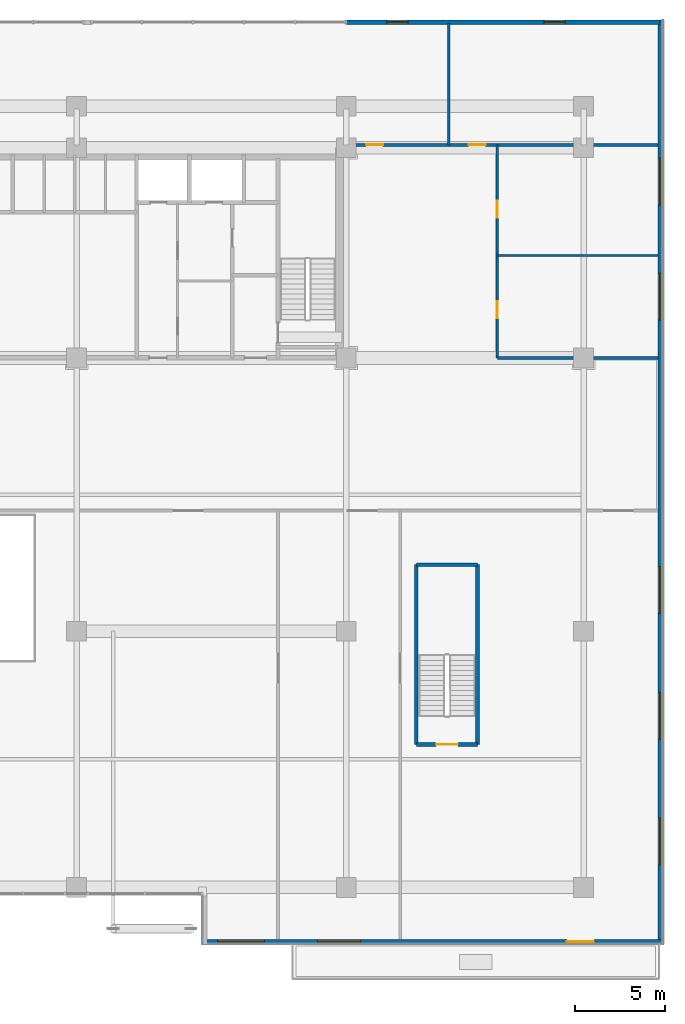
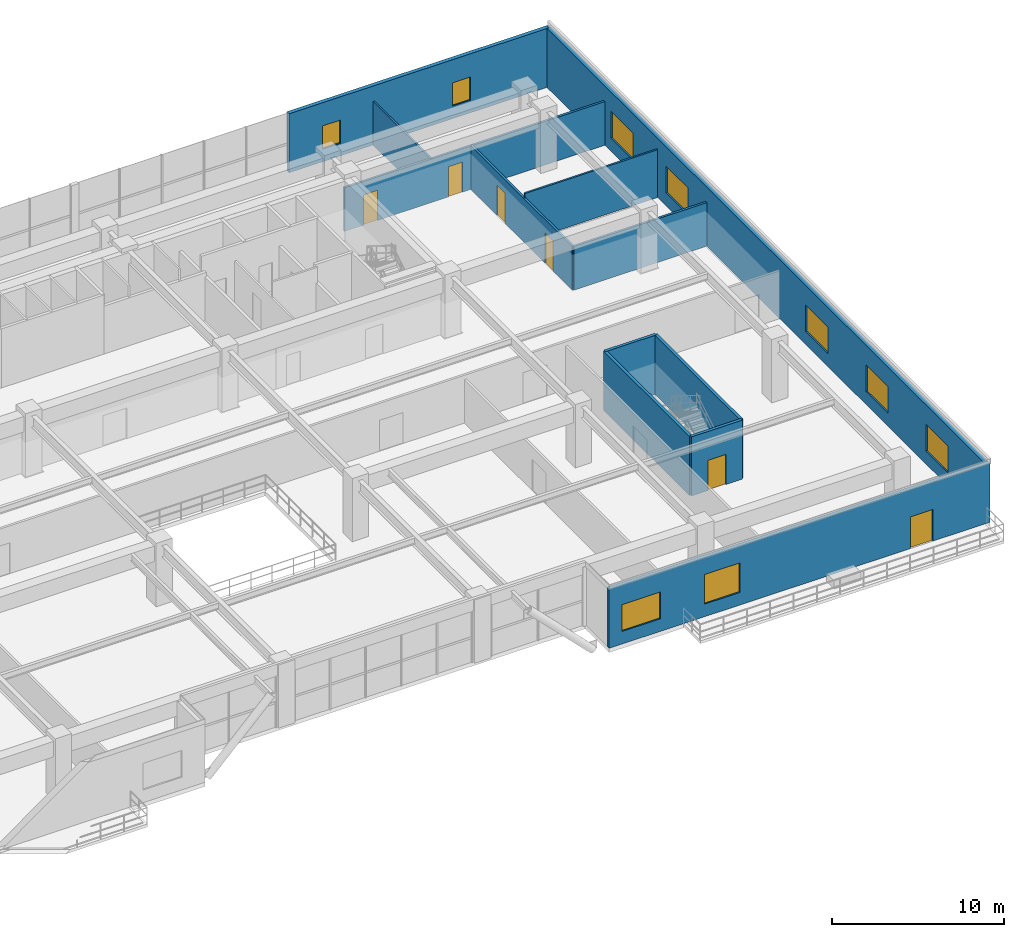
# One storey, part 17 of 24: 12 walls, 9 windows, 6 doors, 15 openings.
"""IFC4 building model written with IfcOpenShell, lengths in metres."""

from ifc_helpers import new_model, si_unit, direction, frame, frame_2d, origin, place, context, subcontext, project, spatial, rectangle, extrude, source, transform, mapped, material, layer, layer_set, type_object, element, fill, save


model = new_model("IFC4")

# Units and contexts
model_context = context("Model", 3, precision=1e-05, world=origin(), true_north=direction((0.0, 1.0)))
body_context = subcontext(model_context, "Body", "Model", "MODEL_VIEW")
ifc_project = project(units=[si_unit("LENGTHUNIT", "METRE"), si_unit("AREAUNIT", "SQUARE_METRE"), si_unit("VOLUMEUNIT", "CUBIC_METRE"), si_unit("PLANEANGLEUNIT", "RADIAN"), si_unit("MASSUNIT", "GRAM", prefix="KILO")], contexts=[model_context])

# Site, building, storey
site_placement = place(None, origin())
site = spatial("IfcSite", under=ifc_project, at=site_placement, CompositionType="ELEMENT")
building_placement = place(site_placement, origin())
building = spatial("IfcBuilding", under=site, at=building_placement, Name="Trelvane Seafront Commons", CompositionType="ELEMENT")
storey_placement = place(building_placement, frame((0.0, 0.0, 9.699951171875)))
storey = spatial("IfcBuildingStorey", under=building, at=storey_placement, Name="L02", CompositionType="ELEMENT", Elevation=9.699951171875)

# Wall, openings, windows
ifc_material_1 = material(Name="Precast concrete C40/50", Category="concrete")
ifc_layer_1 = layer(ifc_material_1, 0.260009765625, Name="ARCH-WALL-EXT260")
ifc_layer_set_1 = layer_set([ifc_layer_1], Name="Precast concrete C40/50")
wall_type_1 = type_object("IfcWallType", Name="ARCH-WALL-EXT260", PredefinedType="SOLIDWALL", material=ifc_layer_set_1)
wall_1_placement = place(storey_placement, frame((58.800048828125, 52.070068359375, 0.0), z_axis=(0.0, 0.0, 1.0), x_axis=(1.0, 0.0, 0.0)))
wall_1 = element("IfcWall", 1, at=wall_1_placement, inside=storey, type_object=wall_type_1, Name="EW-L02-NE-0016", PredefinedType="SOLIDWALL", context=body_context, shape_type="SweptSolid", body=[
    extrude(rectangle(XDim=17.449951171875, YDim=0.260009765625, at=frame_2d((8.72509765625, 0.0))), origin(), (0.0, 0.0, 1.0), 4.199951171875),
])
opening_1_placement = place(wall_1_placement, frame((2.237060546875, 0.0, 0.89990234375)))
opening_1 = element("IfcOpeningElement", 2, at=opening_1_placement, cuts=wall_1, Name="Opening W05", PredefinedType="OPENING", context=body_context, shape_type="SweptSolid", body=[
    extrude(rectangle(XDim=1.199951171875, YDim=1.64990234375, at=frame_2d((0.60009765625, 0.824951171875))), frame((0.0, 0.139892578125, 0.0), z_axis=(0.0, -1.0, 0.0), x_axis=(1.0, 0.0, 0.0)), (0.0, 0.0, 1.0), 0.280029296875),
])
opening_2_placement = place(wall_1_placement, frame((10.985107421875, 0.0, 0.89990234375)))
opening_2 = element("IfcOpeningElement", 3, at=opening_2_placement, cuts=wall_1, Name="Opening W05", PredefinedType="OPENING", context=body_context, shape_type="SweptSolid", body=[
    extrude(rectangle(XDim=1.199951171875, YDim=1.64990234375, at=frame_2d((0.60009765625, 0.824951171875))), frame((0.0, 0.139892578125, 0.0), z_axis=(0.0, -1.0, 0.0), x_axis=(1.0, 0.0, 0.0)), (0.0, 0.0, 1.0), 0.280029296875),
])
ifc_material_2 = material(Name="Low-E coastal double glazing", Category="glass")
window_type_1 = type_object("IfcWindowType", Name="ARCH-WIN-W05", PartitioningType="SINGLE_PANEL", PredefinedType="WINDOW", material=ifc_material_2)
shared_shape_1 = source(origin(), body_context, "Body", "SweptSolid", [
    extrude(rectangle(XDim=1.199951171875, YDim=1.64990234375, at=frame_2d((0.60009765625, 0.824951171875))), frame((0.0, 0.030029296875, 0.0), z_axis=(0.0, -1.0, 0.0), x_axis=(1.0, 0.0, 0.0)), (0.0, 0.0, 1.0), 0.06005859375),
])
window_1_placement = place(opening_1_placement, origin())
window_1 = element("IfcWindow", 4, at=window_1_placement, inside=storey, type_object=window_type_1, Name="WIN-L02-00023", OverallHeight=1.64990234375, OverallWidth=1.199951171875, PartitioningType="SINGLE_PANEL", PredefinedType="WINDOW", context=body_context, shape_type="MappedRepresentation", body=[
    mapped(shared_shape_1, transform((0.0, 0.0, 0.0), x_axis=(1.0, 0.0, 0.0), y_axis=(0.0, 1.0, 0.0), z_axis=(0.0, 0.0, 1.0), scale=1.0)),
])
fill(opening_1, window_1)
window_2_placement = place(opening_2_placement, origin())
window_2 = element("IfcWindow", 5, at=window_2_placement, inside=storey, type_object=window_type_1, Name="WIN-L02-00024", OverallHeight=1.64990234375, OverallWidth=1.199951171875, PartitioningType="SINGLE_PANEL", PredefinedType="WINDOW", context=body_context, shape_type="MappedRepresentation", body=[
    mapped(shared_shape_1, transform((0.0, 0.0, 0.0), x_axis=(1.0, 0.0, 0.0), y_axis=(0.0, 1.0, 0.0), z_axis=(0.0, 0.0, 1.0), scale=1.0)),
])
fill(opening_2, window_2)

wall_2_placement = place(storey_placement, frame((76.27001953125, 52.199951171875, 0.0), z_axis=(0.0, 0.0, 1.0), x_axis=(0.0, -1.0, 0.0)))
wall_2 = element("IfcWall", 6, at=wall_2_placement, inside=storey, type_object=wall_type_1, Name="EW-L02-00019", PredefinedType="SOLIDWALL", context=body_context, shape_type="SweptSolid", body=[
    extrude(rectangle(XDim=51.39990234375, YDim=0.260009765625, at=frame_2d((25.699951171875, 0.0))), origin(), (0.0, 0.0, 1.0), 4.199951171875),
])
opening_3_placement = place(wall_2_placement, frame((44.39990234375, 0.0, 0.919921875)))
opening_3 = element("IfcOpeningElement", 7, at=opening_3_placement, cuts=wall_2, Name="Opening W04", PredefinedType="OPENING", context=body_context, shape_type="SweptSolid", body=[
    extrude(rectangle(XDim=2.60009765625, YDim=1.89990234375, at=frame_2d((1.300048828125, 0.949951171875))), frame((0.0, 0.139892578125, 0.0), z_axis=(0.0, -1.0, 0.0), x_axis=(1.0, 0.0, 0.0)), (0.0, 0.0, 1.0), 0.280029296875),
])
opening_4_placement = place(wall_2_placement, frame((37.39990234375, 0.0, 0.919921875)))
opening_4 = element("IfcOpeningElement", 8, at=opening_4_placement, cuts=wall_2, Name="Opening W04", PredefinedType="OPENING", context=body_context, shape_type="SweptSolid", body=[
    extrude(rectangle(XDim=2.60009765625, YDim=1.89990234375, at=frame_2d((1.300048828125, 0.949951171875))), frame((0.0, 0.139892578125, 0.0), z_axis=(0.0, -1.0, 0.0), x_axis=(1.0, 0.0, 0.0)), (0.0, 0.0, 1.0), 0.280029296875),
])
opening_5_placement = place(wall_2_placement, frame((30.39990234375, 0.0, 0.919921875)))
opening_5 = element("IfcOpeningElement", 9, at=opening_5_placement, cuts=wall_2, Name="Opening W04", PredefinedType="OPENING", context=body_context, shape_type="SweptSolid", body=[
    extrude(rectangle(XDim=2.60009765625, YDim=1.89990234375, at=frame_2d((1.300048828125, 0.949951171875))), frame((0.0, 0.139892578125, 0.0), z_axis=(0.0, -1.0, 0.0), x_axis=(1.0, 0.0, 0.0)), (0.0, 0.0, 1.0), 0.280029296875),
])
opening_6_placement = place(wall_2_placement, frame((14.10009765625, 0.0, 0.919921875)))
opening_6 = element("IfcOpeningElement", 10, at=opening_6_placement, cuts=wall_2, Name="Opening W04", PredefinedType="OPENING", context=body_context, shape_type="SweptSolid", body=[
    extrude(rectangle(XDim=2.60009765625, YDim=1.89990234375, at=frame_2d((1.300048828125, 0.949951171875))), frame((0.0, 0.139892578125, 0.0), z_axis=(0.0, -1.0, 0.0), x_axis=(1.0, 0.0, 0.0)), (0.0, 0.0, 1.0), 0.280029296875),
])
opening_7_placement = place(wall_2_placement, frame((7.699951171875, 0.0, 0.919921875)))
opening_7 = element("IfcOpeningElement", 11, at=opening_7_placement, cuts=wall_2, Name="Opening W04", PredefinedType="OPENING", context=body_context, shape_type="SweptSolid", body=[
    extrude(rectangle(XDim=2.60009765625, YDim=1.89990234375, at=frame_2d((1.300048828125, 0.949951171875))), frame((0.0, 0.139892578125, 0.0), z_axis=(0.0, -1.0, 0.0), x_axis=(1.0, 0.0, 0.0)), (0.0, 0.0, 1.0), 0.280029296875),
])
window_type_2 = type_object("IfcWindowType", Name="ARCH-WIN-W04", PartitioningType="SINGLE_PANEL", PredefinedType="WINDOW", material=ifc_material_2)
shared_shape_2 = source(origin(), body_context, "Body", "SweptSolid", [
    extrude(rectangle(XDim=2.60009765625, YDim=1.89990234375, at=frame_2d((1.300048828125, 0.949951171875))), frame((0.0, 0.030029296875, 0.0), z_axis=(0.0, -1.0, 0.0), x_axis=(1.0, 0.0, 0.0)), (0.0, 0.0, 1.0), 0.06005859375),
])
window_3_placement = place(opening_3_placement, origin())
window_3 = element("IfcWindow", 12, at=window_3_placement, inside=storey, type_object=window_type_2, Name="WIN-L02-EW-00025", OverallHeight=1.89990234375, OverallWidth=2.60009765625, PartitioningType="SINGLE_PANEL", PredefinedType="WINDOW", context=body_context, shape_type="MappedRepresentation", body=[
    mapped(shared_shape_2, transform((0.0, 0.0, 0.0), x_axis=(1.0, 0.0, 0.0), y_axis=(0.0, 1.0, 0.0), z_axis=(0.0, 0.0, 1.0), scale=1.0)),
])
fill(opening_3, window_3)
window_4_placement = place(opening_4_placement, origin())
window_4 = element("IfcWindow", 13, at=window_4_placement, inside=storey, type_object=window_type_2, Name="WIN-L02-EW-00026", OverallHeight=1.89990234375, OverallWidth=2.60009765625, PartitioningType="SINGLE_PANEL", PredefinedType="WINDOW", context=body_context, shape_type="MappedRepresentation", body=[
    mapped(shared_shape_2, transform((0.0, 0.0, 0.0), x_axis=(1.0, 0.0, 0.0), y_axis=(0.0, 1.0, 0.0), z_axis=(0.0, 0.0, 1.0), scale=1.0)),
])
fill(opening_4, window_4)
window_5_placement = place(opening_5_placement, origin())
window_5 = element("IfcWindow", 14, at=window_5_placement, inside=storey, type_object=window_type_2, Name="WIN-L02-EW-00027", OverallHeight=1.89990234375, OverallWidth=2.60009765625, PartitioningType="SINGLE_PANEL", PredefinedType="WINDOW", context=body_context, shape_type="MappedRepresentation", body=[
    mapped(shared_shape_2, transform((0.0, 0.0, 0.0), x_axis=(1.0, 0.0, 0.0), y_axis=(0.0, 1.0, 0.0), z_axis=(0.0, 0.0, 1.0), scale=1.0)),
])
fill(opening_5, window_5)
window_6_placement = place(opening_6_placement, origin())
window_6 = element("IfcWindow", 15, at=window_6_placement, inside=storey, type_object=window_type_2, Name="WIN-L02-EW-00028", OverallHeight=1.89990234375, OverallWidth=2.60009765625, PartitioningType="SINGLE_PANEL", PredefinedType="WINDOW", context=body_context, shape_type="MappedRepresentation", body=[
    mapped(shared_shape_2, transform((0.0, 0.0, 0.0), x_axis=(1.0, 0.0, 0.0), y_axis=(0.0, 1.0, 0.0), z_axis=(0.0, 0.0, 1.0), scale=1.0)),
])
fill(opening_6, window_6)
window_7_placement = place(opening_7_placement, origin())
window_7 = element("IfcWindow", 16, at=window_7_placement, inside=storey, type_object=window_type_2, Name="WIN-L02-EW-00029", OverallHeight=1.89990234375, OverallWidth=2.60009765625, PartitioningType="SINGLE_PANEL", PredefinedType="WINDOW", context=body_context, shape_type="MappedRepresentation", body=[
    mapped(shared_shape_2, transform((0.0, 0.0, 0.0), x_axis=(1.0, 0.0, 0.0), y_axis=(0.0, 1.0, 0.0), z_axis=(0.0, 0.0, 1.0), scale=1.0)),
])
fill(opening_7, window_7)

# Wall, openings, windows, door
wall_3_placement = place(storey_placement, frame((76.39990234375, 0.929931640625, 0.0), z_axis=(0.0, 0.0, 1.0), x_axis=(-1.0, 0.0, 0.0)))
wall_3 = element("IfcWall", 17, at=wall_3_placement, inside=storey, type_object=wall_type_1, Name="EW-L02-00020", PredefinedType="SOLIDWALL", context=body_context, shape_type="SweptSolid", body=[
    extrude(rectangle(XDim=25.599853515625, YDim=0.260009765625, at=frame_2d((12.7998046875, 0.0))), origin(), (0.0, 0.0, 1.0), 4.199951171875),
])
opening_8_placement = place(wall_3_placement, frame((3.8330078125, 0.0, 0.0)))
opening_8 = element("IfcOpeningElement", 18, at=opening_8_placement, cuts=wall_3, Name="Opening BD-L02-09", PredefinedType="OPENING", context=body_context, shape_type="SweptSolid", body=[
    extrude(rectangle(XDim=1.5, YDim=2.25, at=frame_2d((0.75, 1.125))), frame((0.0, 0.139892578125, 0.0), z_axis=(0.0, -1.0, 0.0), x_axis=(1.0, 0.0, 0.0)), (0.0, 0.0, 1.0), 0.280029296875),
])
opening_9_placement = place(wall_3_placement, frame((16.800048828125, 0.0, 0.89990234375)))
opening_9 = element("IfcOpeningElement", 19, at=opening_9_placement, cuts=wall_3, Name="Opening W08", PredefinedType="OPENING", context=body_context, shape_type="SweptSolid", body=[
    extrude(rectangle(XDim=2.39990234375, YDim=2.10009765625, at=frame_2d((1.199951171875, 1.050048828125))), frame((0.0, 0.139892578125, 0.0), z_axis=(0.0, -1.0, 0.0), x_axis=(1.0, 0.0, 0.0)), (0.0, 0.0, 1.0), 0.280029296875),
])
opening_10_placement = place(wall_3_placement, frame((22.155029296875, 0.0, 0.89990234375)))
opening_10 = element("IfcOpeningElement", 20, at=opening_10_placement, cuts=wall_3, Name="Opening W04", PredefinedType="OPENING", context=body_context, shape_type="SweptSolid", body=[
    extrude(rectangle(XDim=2.60009765625, YDim=1.89990234375, at=frame_2d((1.300048828125, 0.949951171875))), frame((0.0, 0.139892578125, 0.0), z_axis=(0.0, -1.0, 0.0), x_axis=(1.0, 0.0, 0.0)), (0.0, 0.0, 1.0), 0.280029296875),
])
window_type_3 = type_object("IfcWindowType", Name="ARCH-WIN-W08", PartitioningType="SINGLE_PANEL", PredefinedType="WINDOW", material=ifc_material_2)
shared_shape_3 = source(origin(), body_context, "Body", "SweptSolid", [
    extrude(rectangle(XDim=2.39990234375, YDim=2.10009765625, at=frame_2d((1.199951171875, 1.050048828125))), frame((0.0, 0.030029296875, 0.0), z_axis=(0.0, -1.0, 0.0), x_axis=(1.0, 0.0, 0.0)), (0.0, 0.0, 1.0), 0.06005859375),
])
window_8_placement = place(opening_9_placement, origin())
window_8 = element("IfcWindow", 21, at=window_8_placement, inside=storey, type_object=window_type_3, Name="WIN-L02-00030", OverallHeight=2.10009765625, OverallWidth=2.39990234375, PartitioningType="SINGLE_PANEL", PredefinedType="WINDOW", context=body_context, shape_type="MappedRepresentation", body=[
    mapped(shared_shape_3, transform((0.0, 0.0, 0.0), x_axis=(1.0, 0.0, 0.0), y_axis=(0.0, 1.0, 0.0), z_axis=(0.0, 0.0, 1.0), scale=1.0)),
])
fill(opening_9, window_8)
window_9_placement = place(opening_10_placement, origin())
window_9 = element("IfcWindow", 22, at=window_9_placement, inside=storey, type_object=window_type_2, Name="WIN-L02-00031", OverallHeight=1.89990234375, OverallWidth=2.60009765625, PartitioningType="SINGLE_PANEL", PredefinedType="WINDOW", context=body_context, shape_type="MappedRepresentation", body=[
    mapped(shared_shape_2, transform((0.0, 0.0, 0.0), x_axis=(1.0, 0.0, 0.0), y_axis=(0.0, 1.0, 0.0), z_axis=(0.0, 0.0, 1.0), scale=1.0)),
])
fill(opening_10, window_9)
ifc_material_3 = material(Name="Powder-coated aluminium frame", Category="aluminium")
door_type_1 = type_object("IfcDoorType", Name="ARCH-DR-TER1500", OperationType="DOUBLE_DOOR_SINGLE_SWING", PredefinedType="DOOR", material=ifc_material_3)
shared_shape_4 = source(origin(), body_context, "Body", "SweptSolid", [
    extrude(rectangle(XDim=1.5, YDim=2.25, at=frame_2d((0.75, 1.125))), frame((0.0, 0.02490234375, 0.0), z_axis=(0.0, -1.0, 0.0), x_axis=(1.0, 0.0, 0.0)), (0.0, 0.0, 1.0), 0.050048828125),
])
door_1_placement = place(opening_8_placement, origin())
door_1 = element("IfcDoor", 23, at=door_1_placement, inside=storey, type_object=door_type_1, Name="L02 Balcony Terrace Access Door", OperationType="DOUBLE_DOOR_SINGLE_SWING", OverallHeight=2.25, OverallWidth=1.5, PredefinedType="DOOR", context=body_context, shape_type="MappedRepresentation", body=[
    mapped(shared_shape_4, transform((0.0, 0.0, 0.0), x_axis=(1.0, 0.0, 0.0), y_axis=(0.0, 1.0, 0.0), z_axis=(0.0, 0.0, 1.0), scale=1.0)),
])
fill(opening_8, door_1)

# Walls
ifc_material_4 = material(Name="Gypsum Drywall Acoustic Partition")
ifc_layer_2 = layer(ifc_material_4, 0.1201171875, Name="ARCH-WALL-PART120")
ifc_layer_set_2 = layer_set([ifc_layer_2], Name="Gypsum Drywall Acoustic Partition")
wall_type_2 = type_object("IfcWallType", Name="ARCH-WALL-PART120", PredefinedType="PARTITIONING", material=ifc_layer_set_2)
wall_4_placement = place(storey_placement, frame((67.199951171875, 39.10009765625, 0.0), z_axis=(0.0, 0.0, 1.0), x_axis=(1.0, 0.0, 0.0)))
element("IfcWall", 24, at=wall_4_placement, inside=storey, type_object=wall_type_2, Name="W-L02-POD-NE-MF-049", PredefinedType="PARTITIONING", context=body_context, shape_type="SweptSolid", body=[
    extrude(rectangle(XDim=8.949951171875, YDim=0.1201171875, at=frame_2d((4.47509765625, 0.0))), origin(), (0.0, 0.0, 1.0), 3.400146484375),
])
wall_5_placement = place(storey_placement, frame((64.5, 45.25, 0.0), z_axis=(0.0, 0.0, 1.0), x_axis=(0.0, 1.0, 0.0)))
element("IfcWall", 25, at=wall_5_placement, inside=storey, type_object=wall_type_2, Name="W-L02-POD-NE-LNDV-051", PredefinedType="PARTITIONING", context=body_context, shape_type="SweptSolid", body=[
    extrude(rectangle(XDim=6.75, YDim=0.1201171875, at=frame_2d((3.375, 0.0))), origin(), (0.0, 0.0, 1.0), 3.10009765625),
])

# Wall, openings, doors
ifc_layer_3 = layer(ifc_material_4, 0.14990234375, Name="ARCH-WALL-PART150")
ifc_layer_set_3 = layer_set([ifc_layer_3], Name="Gypsum Drywall Acoustic Partition")
wall_type_3 = type_object("IfcWallType", Name="ARCH-WALL-PART150", PredefinedType="PARTITIONING", material=ifc_layer_set_3)
wall_6_placement = place(storey_placement, frame((67.199951171875, 33.39990234375, 0.0), z_axis=(0.0, 0.0, 1.0), x_axis=(0.0, 1.0, 0.0)))
wall_6 = element("IfcWall", 26, at=wall_6_placement, inside=storey, type_object=wall_type_3, Name="W-L02-POD-NE-W-047", PredefinedType="PARTITIONING", context=body_context, shape_type="SweptSolid", body=[
    extrude(rectangle(XDim=11.85009765625, YDim=0.14990234375, at=frame_2d((5.925048828125, 0.0))), origin(), (0.0, 0.0, 1.0), 3.10009765625),
])
opening_11_placement = place(wall_6_placement, frame((2.199951171875, 0.0, 0.0)))
opening_11 = element("IfcOpeningElement", 27, at=opening_11_placement, cuts=wall_6, Name="Opening D-L02-21", PredefinedType="OPENING", context=body_context, shape_type="SweptSolid", body=[
    extrude(rectangle(XDim=0.949951171875, YDim=2.14990234375, at=frame_2d((0.47509765625, 1.074951171875))), frame((0.0, 0.0849609375, 0.0), z_axis=(0.0, -1.0, 0.0), x_axis=(1.0, 0.0, 0.0)), (0.0, 0.0, 1.0), 0.169921875),
])
opening_12_placement = place(wall_6_placement, frame((7.800048828125, 0.0, 0.0)))
opening_12 = element("IfcOpeningElement", 28, at=opening_12_placement, cuts=wall_6, Name="Opening D-L02-22", PredefinedType="OPENING", context=body_context, shape_type="SweptSolid", body=[
    extrude(rectangle(XDim=0.949951171875, YDim=2.14990234375, at=frame_2d((0.47509765625, 1.074951171875))), frame((0.0, 0.0849609375, 0.0), z_axis=(0.0, -1.0, 0.0), x_axis=(1.0, 0.0, 0.0)), (0.0, 0.0, 1.0), 0.169921875),
])
ifc_material_5 = material(Name="Acoustic timber door leaf", Category="wood")
door_type_2 = type_object("IfcDoorType", Name="ARCH-DR-INT950", OperationType="NOTDEFINED", PredefinedType="DOOR", material=ifc_material_5)
shared_shape_5 = source(origin(), body_context, "Body", "SweptSolid", [
    extrude(rectangle(XDim=0.949951171875, YDim=2.14990234375, at=frame_2d((0.47509765625, 1.074951171875))), frame((0.0, 0.02490234375, 0.0), z_axis=(0.0, -1.0, 0.0), x_axis=(1.0, 0.0, 0.0)), (0.0, 0.0, 1.0), 0.050048828125),
])
door_2_placement = place(opening_11_placement, origin())
door_2 = element("IfcDoor", 29, at=door_2_placement, inside=storey, type_object=door_type_2, Name="L02 Podium Male WC Door", OperationType="SINGLE_SWING_LEFT", OverallHeight=2.14990234375, OverallWidth=0.949951171875, PredefinedType="DOOR", context=body_context, shape_type="MappedRepresentation", body=[
    mapped(shared_shape_5, transform((0.0, 0.0, 0.0), x_axis=(1.0, 0.0, 0.0), y_axis=(0.0, 1.0, 0.0), z_axis=(0.0, 0.0, 1.0), scale=1.0)),
])
fill(opening_11, door_2)
door_3_placement = place(opening_12_placement, origin())
door_3 = element("IfcDoor", 30, at=door_3_placement, inside=storey, type_object=door_type_2, Name="L02 Podium Female WC Door", OperationType="SINGLE_SWING_RIGHT", OverallHeight=2.14990234375, OverallWidth=0.949951171875, PredefinedType="DOOR", context=body_context, shape_type="MappedRepresentation", body=[
    mapped(shared_shape_5, transform((0.0, 0.0, 0.0), x_axis=(1.0, 0.0, 0.0), y_axis=(0.0, 1.0, 0.0), z_axis=(0.0, 0.0, 1.0), scale=1.0)),
])
fill(opening_12, door_3)

# Wall
wall_7_placement = place(storey_placement, frame((67.199951171875, 33.39990234375, 0.0), z_axis=(0.0, 0.0, 1.0), x_axis=(1.0, 0.0, 0.0)))
element("IfcWall", 31, at=wall_7_placement, inside=storey, type_object=wall_type_3, Name="W-L02-POD-NE-S-048", PredefinedType="PARTITIONING", context=body_context, shape_type="SweptSolid", body=[
    extrude(rectangle(XDim=8.949951171875, YDim=0.14990234375, at=frame_2d((4.47509765625, 0.0))), origin(), (0.0, 0.0, 1.0), 3.10009765625),
])

# Wall, openings, doors
wall_8_placement = place(storey_placement, frame((58.60009765625, 45.25, 0.0), z_axis=(0.0, 0.0, 1.0), x_axis=(1.0, 0.0, 0.0)))
wall_8 = element("IfcWall", 32, at=wall_8_placement, inside=storey, type_object=wall_type_3, Name="W-L02-POD-NE-LN-S-050", PredefinedType="PARTITIONING", context=body_context, shape_type="SweptSolid", body=[
    extrude(rectangle(XDim=17.5498046875, YDim=0.14990234375, at=frame_2d((8.77490234375, 0.0))), origin(), (0.0, 0.0, 1.0), 3.10009765625),
])
opening_13_placement = place(wall_8_placement, frame((1.300048828125, 0.0, 0.0)))
opening_13 = element("IfcOpeningElement", 33, at=opening_13_placement, cuts=wall_8, Name="Opening D-L02-23", PredefinedType="OPENING", context=body_context, shape_type="SweptSolid", body=[
    extrude(rectangle(XDim=0.949951171875, YDim=2.14990234375, at=frame_2d((0.47509765625, 1.074951171875))), frame((0.0, 0.0849609375, 0.0), z_axis=(0.0, -1.0, 0.0), x_axis=(1.0, 0.0, 0.0)), (0.0, 0.0, 1.0), 0.169921875),
])
opening_14_placement = place(wall_8_placement, frame((7.0, 0.0, 0.0)))
opening_14 = element("IfcOpeningElement", 34, at=opening_14_placement, cuts=wall_8, Name="Opening D-L02-24", PredefinedType="OPENING", context=body_context, shape_type="SweptSolid", body=[
    extrude(rectangle(XDim=0.949951171875, YDim=2.14990234375, at=frame_2d((0.47509765625, 1.074951171875))), frame((0.0, 0.0849609375, 0.0), z_axis=(0.0, -1.0, 0.0), x_axis=(1.0, 0.0, 0.0)), (0.0, 0.0, 1.0), 0.169921875),
])
door_4_placement = place(opening_13_placement, origin())
door_4 = element("IfcDoor", 35, at=door_4_placement, inside=storey, type_object=door_type_2, Name="L02 Podium Laundry Door", OperationType="SINGLE_SWING_LEFT", OverallHeight=2.14990234375, OverallWidth=0.949951171875, PredefinedType="DOOR", context=body_context, shape_type="MappedRepresentation", body=[
    mapped(shared_shape_5, transform((0.0, 0.0, 0.0), x_axis=(1.0, 0.0, 0.0), y_axis=(0.0, 1.0, 0.0), z_axis=(0.0, 0.0, 1.0), scale=1.0)),
])
fill(opening_13, door_4)
door_5_placement = place(opening_14_placement, origin())
door_5 = element("IfcDoor", 36, at=door_5_placement, inside=storey, type_object=door_type_2, Name="L02 Podium Pantry Door", OperationType="SINGLE_SWING_RIGHT", OverallHeight=2.14990234375, OverallWidth=0.949951171875, PredefinedType="DOOR", context=body_context, shape_type="MappedRepresentation", body=[
    mapped(shared_shape_5, transform((0.0, 0.0, 0.0), x_axis=(1.0, 0.0, 0.0), y_axis=(0.0, 1.0, 0.0), z_axis=(0.0, 0.0, 1.0), scale=1.0)),
])
fill(opening_14, door_5)

# Walls
ifc_material_6 = material(Name="Concrete C50/60", Category="concrete")
ifc_layer_4 = layer(ifc_material_6, 0.199951171875, Name="STR-WALL-STAIR200")
ifc_layer_set_4 = layer_set([ifc_layer_4], Name="Concrete C50/60")
wall_type_4 = type_object("IfcWallType", Name="STR-WALL-STAIR200", PredefinedType="SHEAR", material=ifc_layer_set_4)
for number, where, z_axis, x_axis, name in (
    (37, (62.699951171875, 11.89990234375, 0.0), (0.0, 0.0, 1.0), (0.0, 1.0, 0.0), "W-L02-ST4-W-012"),
    (38, (66.10009765625, 11.89990234375, 0.0), (0.0, 0.0, 1.0), (0.0, 1.0, 0.0), "W-L02-ST4-E-013"),
):
    element("IfcWall", number, at=place(storey_placement, frame(where, z_axis=z_axis, x_axis=x_axis)), inside=storey, type_object=wall_type_4, Name=name, PredefinedType="SHEAR", context=body_context, shape_type="SweptSolid", body=[
        extrude(rectangle(XDim=10.0, YDim=0.199951171875, at=frame_2d((5.0, 0.0))), origin(), (0.0, 0.0, 1.0), 4.199951171875),
    ])

# Wall, opening, door
wall_9_placement = place(storey_placement, frame((62.699951171875, 11.89990234375, 0.0), z_axis=(0.0, 0.0, 1.0), x_axis=(1.0, 0.0, 0.0)))
wall_9 = element("IfcWall", 39, at=wall_9_placement, inside=storey, type_object=wall_type_4, Name="W-L02-ST4-S-014", PredefinedType="SHEAR", context=body_context, shape_type="SweptSolid", body=[
    extrude(rectangle(XDim=3.400146484375, YDim=0.199951171875, at=frame_2d((1.7001953125, 0.0))), origin(), (0.0, 0.0, 1.0), 4.199951171875),
])
opening_15_placement = place(wall_9_placement, frame((1.10009765625, 0.0, 0.0)))
opening_15 = element("IfcOpeningElement", 40, at=opening_15_placement, cuts=wall_9, Name="Opening ST-D-ST4-L02", PredefinedType="OPENING", context=body_context, shape_type="SweptSolid", body=[
    extrude(rectangle(XDim=1.199951171875, YDim=2.14990234375, at=frame_2d((0.60009765625, 1.074951171875))), frame((0.0, 0.10986328125, 0.0), z_axis=(0.0, -1.0, 0.0), x_axis=(1.0, 0.0, 0.0)), (0.0, 0.0, 1.0), 0.219970703125),
])
door_type_3 = type_object("IfcDoorType", Name="ARCH-DR-FD90-1200", OperationType="NOTDEFINED", PredefinedType="DOOR", material=ifc_material_3)
shared_shape_6 = source(origin(), body_context, "Body", "SweptSolid", [
    extrude(rectangle(XDim=1.199951171875, YDim=2.14990234375, at=frame_2d((0.60009765625, 1.074951171875))), frame((0.0, 0.02490234375, 0.0), z_axis=(0.0, -1.0, 0.0), x_axis=(1.0, 0.0, 0.0)), (0.0, 0.0, 1.0), 0.050048828125),
])
door_6_placement = place(opening_15_placement, origin())
door_6 = element("IfcDoor", 41, at=door_6_placement, inside=storey, type_object=door_type_3, Name="L02 Podium ST4 Fire Door", OperationType="SINGLE_SWING_RIGHT", OverallHeight=2.14990234375, OverallWidth=1.199951171875, PredefinedType="DOOR", context=body_context, shape_type="MappedRepresentation", body=[
    mapped(shared_shape_6, transform((0.0, 0.0, 0.0), x_axis=(1.0, 0.0, 0.0), y_axis=(0.0, 1.0, 0.0), z_axis=(0.0, 0.0, 1.0), scale=1.0)),
])
fill(opening_15, door_6)

# Wall
wall_10_placement = place(storey_placement, frame((62.699951171875, 21.89990234375, 0.0), z_axis=(0.0, 0.0, 1.0), x_axis=(1.0, 0.0, 0.0)))
element("IfcWall", 42, at=wall_10_placement, inside=storey, type_object=wall_type_4, Name="W-L02-ST4-N-015", PredefinedType="SHEAR", context=body_context, shape_type="SweptSolid", body=[
    extrude(rectangle(XDim=3.400146484375, YDim=0.199951171875, at=frame_2d((1.7001953125, 0.0))), origin(), (0.0, 0.0, 1.0), 4.199951171875),
])

save(model, "model.ifc")
